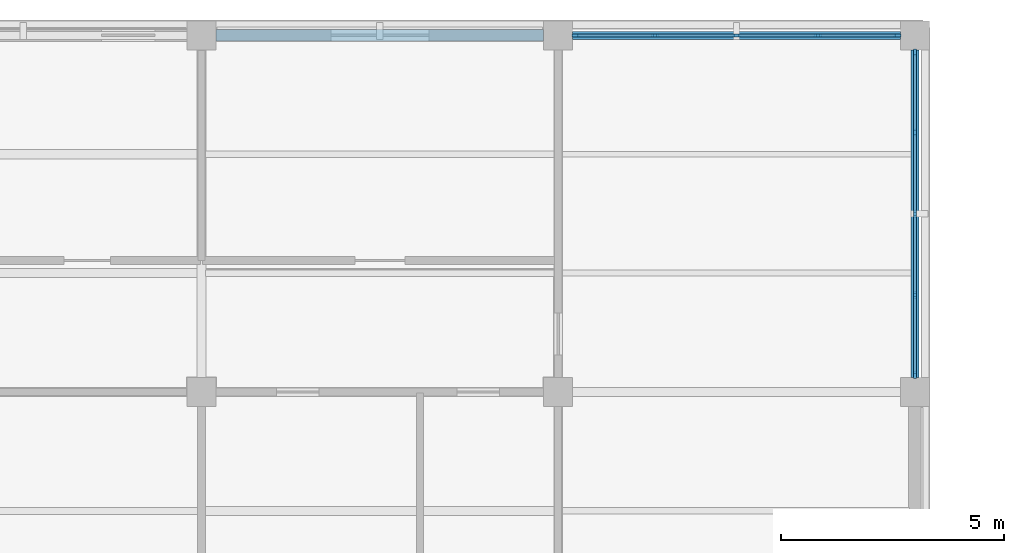
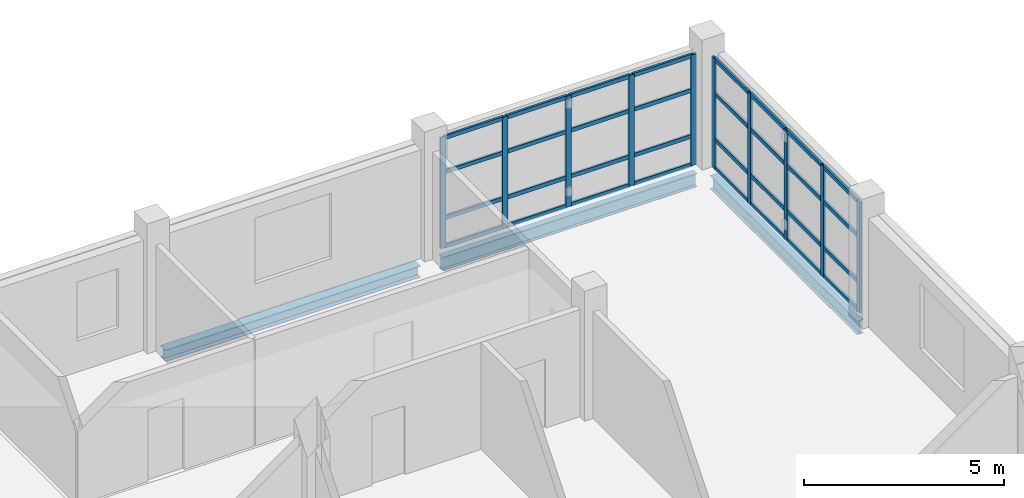
# One storey, part 47 of 92: 42 members, 3 beams, 2 elements without a shape of their own.
"""IFC4 building model written with IfcOpenShell, lengths in metres."""

from ifc_helpers import new_model, si_unit, derived_unit, direction, frame, origin, origin_2d, place, context, subcontext, project, spatial, rectangle, i_section, extrude, material, layer, layer_set, material_profile, profile_set, type_object, element, aggregate, save


model = new_model("IFC4")

# Units and contexts
model_context = context("Model", 3, precision=1e-05, world=origin(), true_north=direction((0.0, 1.0)))
body_context = subcontext(model_context, "Body", "Model", "MODEL_VIEW")
ifc_project = project(units=[si_unit("LENGTHUNIT", "METRE"), si_unit("AREAUNIT", "SQUARE_METRE"), si_unit("VOLUMEUNIT", "CUBIC_METRE"), si_unit("PLANEANGLEUNIT", "RADIAN"), si_unit("MASSUNIT", "GRAM", prefix="KILO"), derived_unit("THERMALTRANSMITTANCEUNIT", [(si_unit("MASSUNIT", "GRAM", prefix="KILO"), 1), (si_unit("TIMEUNIT", "SECOND"), -3), (si_unit("THERMODYNAMICTEMPERATUREUNIT", "KELVIN"), -1)])], contexts=[model_context])

# Site, building, storey
site_placement = place(None, origin())
site = spatial("IfcSite", under=ifc_project, at=site_placement, CompositionType="ELEMENT")
building_placement = place(site_placement, origin())
building = spatial("IfcBuilding", under=site, at=building_placement, Name="Veyamyaing Civic Hall", CompositionType="ELEMENT")
storey_placement = place(building_placement, frame((0.0, 0.0, 17.820068359375)))
storey = spatial("IfcBuildingStorey", under=building, at=storey_placement, Name="L04", CompositionType="ELEMENT", Elevation=17.820068359375)

# Beams
ifc_material_1 = material(Name="Steel ASTM A992", Category="steel")
ifc_material_profile_1 = material_profile(ifc_material_1, i_section(OverallWidth=0.179931640625, OverallDepth=0.4130859375, WebThickness=0.009765625, FlangeThickness=0.01611328125, FilletRadius=0.010009765625, at=origin_2d()), Name="W410X74")
ifc_profile_set_1 = profile_set([ifc_material_profile_1], Name="Steel ASTM A992")
beam_type_1 = type_object("IfcBeamType", Name="B-10", PredefinedType="SPANDREL", material=ifc_profile_set_1)
for number, where, z_axis, x_axis, name in (
    (1, (168.324951171875, 112.0, -0.441650390625), (1.0, 0.0, 0.0), (0.0, 1.0, 0.0), "Girder B-10 L04 Grid Q 22-23"),
    (2, (176.0, 104.324951171875, -0.441650390625), (0.0, 1.0, 0.0), (-1.0, 0.0, 0.0), "Girder B-10 L04 Grid 23 P-Q"),
):
    element("IfcBeam", number, at=place(storey_placement, frame(where, z_axis=z_axis, x_axis=x_axis)), inside=storey, type_object=beam_type_1, Name=name, PredefinedType="SPANDREL", context=body_context, shape_type="SweptSolid", body=[
        extrude(i_section(OverallWidth=0.179931640625, OverallDepth=0.4130859375, WebThickness=0.009765625, FlangeThickness=0.01611328125, FilletRadius=0.010009765625, at=origin_2d()), origin(), (0.0, 0.0, 1.0), 7.35009765625),
    ])
ifc_material_profile_2 = material_profile(ifc_material_1, i_section(OverallWidth=0.25390625, OverallDepth=0.35302734375, WebThickness=0.009521484375, FlangeThickness=0.016357421875, FilletRadius=0.011962890625, at=origin_2d()), Name="W360X91")
ifc_profile_set_2 = profile_set([ifc_material_profile_2], Name="Steel ASTM A992")
beam_type_2 = type_object("IfcBeamType", Name="B-20", PredefinedType="SPANDREL", material=ifc_profile_set_2)
beam_placement = place(storey_placement, frame((160.324951171875, 112.0, -0.41162109375), z_axis=(1.0, 0.0, 0.0), x_axis=(0.0, 1.0, 0.0)))
element("IfcBeam", 3, at=beam_placement, inside=storey, type_object=beam_type_2, Name="Girder B-20 L04 Grid Q 21-22", PredefinedType="SPANDREL", context=body_context, shape_type="SweptSolid", body=[
    extrude(i_section(OverallWidth=0.25390625, OverallDepth=0.35302734375, WebThickness=0.009521484375, FlangeThickness=0.016357421875, FilletRadius=0.011962890625, at=origin_2d()), origin(), (0.0, 0.0, 1.0), 7.35009765625),
])

# Curtain wall, members
ifc_material_2 = material(Name="Anodised aluminium 6063-T6", Category="aluminium")
ifc_layer = layer(ifc_material_2, 0.159912109375, Name="Anodised aluminium 6063-T6")
ifc_layer_set = layer_set([ifc_layer], Name="Anodised aluminium 6063-T6")
curtain_wall_type = type_object("IfcCurtainWallType", Name="CW-08", PredefinedType="NOTDEFINED", material=ifc_layer_set)
curtain_wall_1_placement = place(storey_placement, origin())
curtain_wall_1 = element("IfcCurtainWall", 4, at=curtain_wall_1_placement, inside=storey, type_object=curtain_wall_type, Name="Unitized curtain wall CW-08 L04 N 22.14", PredefinedType="NOTDEFINED")
ifc_material_profile_3 = material_profile(ifc_material_2, rectangle(XDim=0.06494140625, YDim=0.159912109375, at=origin_2d()), Name="ALU-MUL-65X160")
ifc_profile_set_3 = profile_set([ifc_material_profile_3], Name="Anodised aluminium 6063-T6")
member_type_1 = type_object("IfcMemberType", Name="CWM-01", PredefinedType="MULLION", material=ifc_profile_set_3)
member_1_placement = place(storey_placement, frame((168.387451171875, 112.0, 0.0), z_axis=(0.0, 0.0, 1.0), x_axis=(0.0, 1.0, 0.0)))
member_1 = element("IfcMember", 5, at=member_1_placement, type_object=member_type_1, Name="CW-08 mullion 1", PredefinedType="MULLION", context=body_context, shape_type="SweptSolid", body=[
    extrude(rectangle(XDim=0.06494140625, YDim=0.159912109375, at=origin_2d()), origin(), (0.0, 0.0, 1.0), 3.376953125),
])
member_2_placement = place(storey_placement, frame((170.177490234375, 112.0, 0.0), z_axis=(0.0, 0.0, 1.0), x_axis=(0.0, 1.0, 0.0)))
member_2 = element("IfcMember", 6, at=member_2_placement, type_object=member_type_1, Name="CW-08 mullion 2", PredefinedType="MULLION", context=body_context, shape_type="SweptSolid", body=[
    extrude(rectangle(XDim=0.06494140625, YDim=0.159912109375, at=origin_2d()), origin(), (0.0, 0.0, 1.0), 3.376953125),
])
member_3_placement = place(storey_placement, frame((172.0, 112.0, 0.0), z_axis=(0.0, 0.0, 1.0), x_axis=(0.0, 1.0, 0.0)))
member_3 = element("IfcMember", 7, at=member_3_placement, type_object=member_type_1, Name="CW-08 mullion 3", PredefinedType="MULLION", context=body_context, shape_type="SweptSolid", body=[
    extrude(rectangle(XDim=0.06494140625, YDim=0.159912109375, at=origin_2d()), origin(), (0.0, 0.0, 1.0), 3.376953125),
])
member_4_placement = place(storey_placement, frame((173.822509765625, 112.0, 0.0), z_axis=(0.0, 0.0, 1.0), x_axis=(0.0, 1.0, 0.0)))
member_4 = element("IfcMember", 8, at=member_4_placement, type_object=member_type_1, Name="CW-08 mullion 4", PredefinedType="MULLION", context=body_context, shape_type="SweptSolid", body=[
    extrude(rectangle(XDim=0.06494140625, YDim=0.159912109375, at=origin_2d()), origin(), (0.0, 0.0, 1.0), 3.376953125),
])
member_5_placement = place(storey_placement, frame((175.612548828125, 112.0, 0.0), z_axis=(0.0, 0.0, 1.0), x_axis=(0.0, 1.0, 0.0)))
member_5 = element("IfcMember", 9, at=member_5_placement, type_object=member_type_1, Name="CW-08 mullion 5", PredefinedType="MULLION", context=body_context, shape_type="SweptSolid", body=[
    extrude(rectangle(XDim=0.06494140625, YDim=0.159912109375, at=origin_2d()), origin(), (0.0, 0.0, 1.0), 3.376953125),
])

curtain_wall_2_placement = place(storey_placement, origin())
curtain_wall_2 = element("IfcCurtainWall", 10, at=curtain_wall_2_placement, inside=storey, type_object=curtain_wall_type, Name="Unitized curtain wall CW-08 L04 E 22.14", PredefinedType="NOTDEFINED")
member_6_placement = place(storey_placement, frame((176.0, 104.387451171875, 0.0), z_axis=(0.0, 0.0, 1.0), x_axis=(-1.0, 0.0, 0.0)))
member_6 = element("IfcMember", 11, at=member_6_placement, type_object=member_type_1, Name="CW-08 mullion 1", PredefinedType="MULLION", context=body_context, shape_type="SweptSolid", body=[
    extrude(rectangle(XDim=0.06494140625, YDim=0.159912109375, at=origin_2d()), origin(), (0.0, 0.0, 1.0), 3.376953125),
])
member_7_placement = place(storey_placement, frame((176.0, 106.177490234375, 0.0), z_axis=(0.0, 0.0, 1.0), x_axis=(-1.0, 0.0, 0.0)))
member_7 = element("IfcMember", 12, at=member_7_placement, type_object=member_type_1, Name="CW-08 mullion 2", PredefinedType="MULLION", context=body_context, shape_type="SweptSolid", body=[
    extrude(rectangle(XDim=0.06494140625, YDim=0.159912109375, at=origin_2d()), origin(), (0.0, 0.0, 1.0), 3.376953125),
])
member_8_placement = place(storey_placement, frame((176.0, 108.0, 0.0), z_axis=(0.0, 0.0, 1.0), x_axis=(-1.0, 0.0, 0.0)))
member_8 = element("IfcMember", 13, at=member_8_placement, type_object=member_type_1, Name="CW-08 mullion 3", PredefinedType="MULLION", context=body_context, shape_type="SweptSolid", body=[
    extrude(rectangle(XDim=0.06494140625, YDim=0.159912109375, at=origin_2d()), origin(), (0.0, 0.0, 1.0), 3.376953125),
])
member_9_placement = place(storey_placement, frame((176.0, 109.822509765625, 0.0), z_axis=(0.0, 0.0, 1.0), x_axis=(-1.0, 0.0, 0.0)))
member_9 = element("IfcMember", 14, at=member_9_placement, type_object=member_type_1, Name="CW-08 mullion 4", PredefinedType="MULLION", context=body_context, shape_type="SweptSolid", body=[
    extrude(rectangle(XDim=0.06494140625, YDim=0.159912109375, at=origin_2d()), origin(), (0.0, 0.0, 1.0), 3.376953125),
])
member_10_placement = place(storey_placement, frame((176.0, 111.612548828125, 0.0), z_axis=(0.0, 0.0, 1.0), x_axis=(-1.0, 0.0, 0.0)))
member_10 = element("IfcMember", 15, at=member_10_placement, type_object=member_type_1, Name="CW-08 mullion 5", PredefinedType="MULLION", context=body_context, shape_type="SweptSolid", body=[
    extrude(rectangle(XDim=0.06494140625, YDim=0.159912109375, at=origin_2d()), origin(), (0.0, 0.0, 1.0), 3.376953125),
])

# Member
ifc_material_profile_4 = material_profile(ifc_material_2, rectangle(XDim=0.06494140625, YDim=0.1201171875, at=origin_2d()), Name="ALU-TRN-65X120")
ifc_profile_set_4 = profile_set([ifc_material_profile_4], Name="Anodised aluminium 6063-T6")
member_type_2 = type_object("IfcMemberType", Name="CWT-01", PredefinedType="USERDEFINED", material=ifc_profile_set_4)
member_11_placement = place(storey_placement, frame((168.419921875, 112.0, 0.032470703125), z_axis=(1.0, 0.0, 0.0), x_axis=(0.0, 1.0, 0.0)))
member_11 = element("IfcMember", 16, at=member_11_placement, type_object=member_type_2, Name="CW-08 transom 1.1", ObjectType="TRANSOM", PredefinedType="USERDEFINED", context=body_context, shape_type="SweptSolid", body=[
    extrude(rectangle(XDim=0.06494140625, YDim=0.1201171875, at=origin_2d()), origin(), (0.0, 0.0, 1.0), 1.72509765625),
])

member_12_placement = place(storey_placement, frame((168.419921875, 112.0, 0.89990234375), z_axis=(1.0, 0.0, 0.0), x_axis=(0.0, 1.0, 0.0)))
member_12 = element("IfcMember", 17, at=member_12_placement, type_object=member_type_2, Name="CW-08 transom 1.2", ObjectType="TRANSOM", PredefinedType="USERDEFINED", context=body_context, shape_type="SweptSolid", body=[
    extrude(rectangle(XDim=0.06494140625, YDim=0.1201171875, at=origin_2d()), origin(), (0.0, 0.0, 1.0), 1.72509765625),
])

member_13_placement = place(storey_placement, frame((168.419921875, 112.0, 2.29638671875), z_axis=(1.0, 0.0, 0.0), x_axis=(0.0, 1.0, 0.0)))
member_13 = element("IfcMember", 18, at=member_13_placement, type_object=member_type_2, Name="CW-08 transom 1.3", ObjectType="TRANSOM", PredefinedType="USERDEFINED", context=body_context, shape_type="SweptSolid", body=[
    extrude(rectangle(XDim=0.06494140625, YDim=0.1201171875, at=origin_2d()), origin(), (0.0, 0.0, 1.0), 1.72509765625),
])

member_14_placement = place(storey_placement, frame((168.419921875, 112.0, 3.344482421875), z_axis=(1.0, 0.0, 0.0), x_axis=(0.0, 1.0, 0.0)))
member_14 = element("IfcMember", 19, at=member_14_placement, type_object=member_type_2, Name="CW-08 transom 1.4", ObjectType="TRANSOM", PredefinedType="USERDEFINED", context=body_context, shape_type="SweptSolid", body=[
    extrude(rectangle(XDim=0.06494140625, YDim=0.1201171875, at=origin_2d()), origin(), (0.0, 0.0, 1.0), 1.72509765625),
])

member_15_placement = place(storey_placement, frame((170.2099609375, 112.0, 0.032470703125), z_axis=(1.0, 0.0, 0.0), x_axis=(0.0, 1.0, 0.0)))
member_15 = element("IfcMember", 20, at=member_15_placement, type_object=member_type_2, Name="CW-08 transom 2.1", ObjectType="TRANSOM", PredefinedType="USERDEFINED", context=body_context, shape_type="SweptSolid", body=[
    extrude(rectangle(XDim=0.06494140625, YDim=0.1201171875, at=origin_2d()), origin(), (0.0, 0.0, 1.0), 1.757568359375),
])

member_16_placement = place(storey_placement, frame((170.2099609375, 112.0, 0.89990234375), z_axis=(1.0, 0.0, 0.0), x_axis=(0.0, 1.0, 0.0)))
member_16 = element("IfcMember", 21, at=member_16_placement, type_object=member_type_2, Name="CW-08 transom 2.2", ObjectType="TRANSOM", PredefinedType="USERDEFINED", context=body_context, shape_type="SweptSolid", body=[
    extrude(rectangle(XDim=0.06494140625, YDim=0.1201171875, at=origin_2d()), origin(), (0.0, 0.0, 1.0), 1.757568359375),
])

member_17_placement = place(storey_placement, frame((170.2099609375, 112.0, 2.29638671875), z_axis=(1.0, 0.0, 0.0), x_axis=(0.0, 1.0, 0.0)))
member_17 = element("IfcMember", 22, at=member_17_placement, type_object=member_type_2, Name="CW-08 transom 2.3", ObjectType="TRANSOM", PredefinedType="USERDEFINED", context=body_context, shape_type="SweptSolid", body=[
    extrude(rectangle(XDim=0.06494140625, YDim=0.1201171875, at=origin_2d()), origin(), (0.0, 0.0, 1.0), 1.757568359375),
])

member_18_placement = place(storey_placement, frame((170.2099609375, 112.0, 3.344482421875), z_axis=(1.0, 0.0, 0.0), x_axis=(0.0, 1.0, 0.0)))
member_18 = element("IfcMember", 23, at=member_18_placement, type_object=member_type_2, Name="CW-08 transom 2.4", ObjectType="TRANSOM", PredefinedType="USERDEFINED", context=body_context, shape_type="SweptSolid", body=[
    extrude(rectangle(XDim=0.06494140625, YDim=0.1201171875, at=origin_2d()), origin(), (0.0, 0.0, 1.0), 1.757568359375),
])

member_19_placement = place(storey_placement, frame((172.032470703125, 112.0, 0.032470703125), z_axis=(1.0, 0.0, 0.0), x_axis=(0.0, 1.0, 0.0)))
member_19 = element("IfcMember", 24, at=member_19_placement, type_object=member_type_2, Name="CW-08 transom 3.1", ObjectType="TRANSOM", PredefinedType="USERDEFINED", context=body_context, shape_type="SweptSolid", body=[
    extrude(rectangle(XDim=0.06494140625, YDim=0.1201171875, at=origin_2d()), origin(), (0.0, 0.0, 1.0), 1.757568359375),
])

member_20_placement = place(storey_placement, frame((172.032470703125, 112.0, 0.89990234375), z_axis=(1.0, 0.0, 0.0), x_axis=(0.0, 1.0, 0.0)))
member_20 = element("IfcMember", 25, at=member_20_placement, type_object=member_type_2, Name="CW-08 transom 3.2", ObjectType="TRANSOM", PredefinedType="USERDEFINED", context=body_context, shape_type="SweptSolid", body=[
    extrude(rectangle(XDim=0.06494140625, YDim=0.1201171875, at=origin_2d()), origin(), (0.0, 0.0, 1.0), 1.757568359375),
])

member_21_placement = place(storey_placement, frame((172.032470703125, 112.0, 2.29638671875), z_axis=(1.0, 0.0, 0.0), x_axis=(0.0, 1.0, 0.0)))
member_21 = element("IfcMember", 26, at=member_21_placement, type_object=member_type_2, Name="CW-08 transom 3.3", ObjectType="TRANSOM", PredefinedType="USERDEFINED", context=body_context, shape_type="SweptSolid", body=[
    extrude(rectangle(XDim=0.06494140625, YDim=0.1201171875, at=origin_2d()), origin(), (0.0, 0.0, 1.0), 1.757568359375),
])

member_22_placement = place(storey_placement, frame((172.032470703125, 112.0, 3.344482421875), z_axis=(1.0, 0.0, 0.0), x_axis=(0.0, 1.0, 0.0)))
member_22 = element("IfcMember", 27, at=member_22_placement, type_object=member_type_2, Name="CW-08 transom 3.4", ObjectType="TRANSOM", PredefinedType="USERDEFINED", context=body_context, shape_type="SweptSolid", body=[
    extrude(rectangle(XDim=0.06494140625, YDim=0.1201171875, at=origin_2d()), origin(), (0.0, 0.0, 1.0), 1.757568359375),
])

member_23_placement = place(storey_placement, frame((173.85498046875, 112.0, 0.032470703125), z_axis=(1.0, 0.0, 0.0), x_axis=(0.0, 1.0, 0.0)))
member_23 = element("IfcMember", 28, at=member_23_placement, type_object=member_type_2, Name="CW-08 transom 4.1", ObjectType="TRANSOM", PredefinedType="USERDEFINED", context=body_context, shape_type="SweptSolid", body=[
    extrude(rectangle(XDim=0.06494140625, YDim=0.1201171875, at=origin_2d()), origin(), (0.0, 0.0, 1.0), 1.72509765625),
])

member_24_placement = place(storey_placement, frame((173.85498046875, 112.0, 0.89990234375), z_axis=(1.0, 0.0, 0.0), x_axis=(0.0, 1.0, 0.0)))
member_24 = element("IfcMember", 29, at=member_24_placement, type_object=member_type_2, Name="CW-08 transom 4.2", ObjectType="TRANSOM", PredefinedType="USERDEFINED", context=body_context, shape_type="SweptSolid", body=[
    extrude(rectangle(XDim=0.06494140625, YDim=0.1201171875, at=origin_2d()), origin(), (0.0, 0.0, 1.0), 1.72509765625),
])

member_25_placement = place(storey_placement, frame((173.85498046875, 112.0, 2.29638671875), z_axis=(1.0, 0.0, 0.0), x_axis=(0.0, 1.0, 0.0)))
member_25 = element("IfcMember", 30, at=member_25_placement, type_object=member_type_2, Name="CW-08 transom 4.3", ObjectType="TRANSOM", PredefinedType="USERDEFINED", context=body_context, shape_type="SweptSolid", body=[
    extrude(rectangle(XDim=0.06494140625, YDim=0.1201171875, at=origin_2d()), origin(), (0.0, 0.0, 1.0), 1.72509765625),
])

member_26_placement = place(storey_placement, frame((173.85498046875, 112.0, 3.344482421875), z_axis=(1.0, 0.0, 0.0), x_axis=(0.0, 1.0, 0.0)))
member_26 = element("IfcMember", 31, at=member_26_placement, type_object=member_type_2, Name="CW-08 transom 4.4", ObjectType="TRANSOM", PredefinedType="USERDEFINED", context=body_context, shape_type="SweptSolid", body=[
    extrude(rectangle(XDim=0.06494140625, YDim=0.1201171875, at=origin_2d()), origin(), (0.0, 0.0, 1.0), 1.72509765625),
])

aggregate(curtain_wall_1, [member_1, member_2, member_3, member_4, member_5, member_11, member_12, member_13, member_14, member_15, member_16, member_17, member_18, member_19, member_20, member_21, member_22, member_23, member_24, member_25, member_26])

member_27_placement = place(storey_placement, frame((176.0, 104.419921875, 0.032470703125), z_axis=(0.0, 1.0, 0.0), x_axis=(-1.0, 0.0, 0.0)))
member_27 = element("IfcMember", 32, at=member_27_placement, type_object=member_type_2, Name="CW-08 transom 1.1", ObjectType="TRANSOM", PredefinedType="USERDEFINED", context=body_context, shape_type="SweptSolid", body=[
    extrude(rectangle(XDim=0.06494140625, YDim=0.1201171875, at=origin_2d()), origin(), (0.0, 0.0, 1.0), 1.72509765625),
])

member_28_placement = place(storey_placement, frame((176.0, 104.419921875, 0.89990234375), z_axis=(0.0, 1.0, 0.0), x_axis=(-1.0, 0.0, 0.0)))
member_28 = element("IfcMember", 33, at=member_28_placement, type_object=member_type_2, Name="CW-08 transom 1.2", ObjectType="TRANSOM", PredefinedType="USERDEFINED", context=body_context, shape_type="SweptSolid", body=[
    extrude(rectangle(XDim=0.06494140625, YDim=0.1201171875, at=origin_2d()), origin(), (0.0, 0.0, 1.0), 1.72509765625),
])

member_29_placement = place(storey_placement, frame((176.0, 104.419921875, 2.29638671875), z_axis=(0.0, 1.0, 0.0), x_axis=(-1.0, 0.0, 0.0)))
member_29 = element("IfcMember", 34, at=member_29_placement, type_object=member_type_2, Name="CW-08 transom 1.3", ObjectType="TRANSOM", PredefinedType="USERDEFINED", context=body_context, shape_type="SweptSolid", body=[
    extrude(rectangle(XDim=0.06494140625, YDim=0.1201171875, at=origin_2d()), origin(), (0.0, 0.0, 1.0), 1.72509765625),
])

member_30_placement = place(storey_placement, frame((176.0, 104.419921875, 3.344482421875), z_axis=(0.0, 1.0, 0.0), x_axis=(-1.0, 0.0, 0.0)))
member_30 = element("IfcMember", 35, at=member_30_placement, type_object=member_type_2, Name="CW-08 transom 1.4", ObjectType="TRANSOM", PredefinedType="USERDEFINED", context=body_context, shape_type="SweptSolid", body=[
    extrude(rectangle(XDim=0.06494140625, YDim=0.1201171875, at=origin_2d()), origin(), (0.0, 0.0, 1.0), 1.72509765625),
])

member_31_placement = place(storey_placement, frame((176.0, 106.2099609375, 0.032470703125), z_axis=(0.0, 1.0, 0.0), x_axis=(-1.0, 0.0, 0.0)))
member_31 = element("IfcMember", 36, at=member_31_placement, type_object=member_type_2, Name="CW-08 transom 2.1", ObjectType="TRANSOM", PredefinedType="USERDEFINED", context=body_context, shape_type="SweptSolid", body=[
    extrude(rectangle(XDim=0.06494140625, YDim=0.1201171875, at=origin_2d()), origin(), (0.0, 0.0, 1.0), 1.757568359375),
])

member_32_placement = place(storey_placement, frame((176.0, 106.2099609375, 0.89990234375), z_axis=(0.0, 1.0, 0.0), x_axis=(-1.0, 0.0, 0.0)))
member_32 = element("IfcMember", 37, at=member_32_placement, type_object=member_type_2, Name="CW-08 transom 2.2", ObjectType="TRANSOM", PredefinedType="USERDEFINED", context=body_context, shape_type="SweptSolid", body=[
    extrude(rectangle(XDim=0.06494140625, YDim=0.1201171875, at=origin_2d()), origin(), (0.0, 0.0, 1.0), 1.757568359375),
])

member_33_placement = place(storey_placement, frame((176.0, 106.2099609375, 2.29638671875), z_axis=(0.0, 1.0, 0.0), x_axis=(-1.0, 0.0, 0.0)))
member_33 = element("IfcMember", 38, at=member_33_placement, type_object=member_type_2, Name="CW-08 transom 2.3", ObjectType="TRANSOM", PredefinedType="USERDEFINED", context=body_context, shape_type="SweptSolid", body=[
    extrude(rectangle(XDim=0.06494140625, YDim=0.1201171875, at=origin_2d()), origin(), (0.0, 0.0, 1.0), 1.757568359375),
])

member_34_placement = place(storey_placement, frame((176.0, 106.2099609375, 3.344482421875), z_axis=(0.0, 1.0, 0.0), x_axis=(-1.0, 0.0, 0.0)))
member_34 = element("IfcMember", 39, at=member_34_placement, type_object=member_type_2, Name="CW-08 transom 2.4", ObjectType="TRANSOM", PredefinedType="USERDEFINED", context=body_context, shape_type="SweptSolid", body=[
    extrude(rectangle(XDim=0.06494140625, YDim=0.1201171875, at=origin_2d()), origin(), (0.0, 0.0, 1.0), 1.757568359375),
])

member_35_placement = place(storey_placement, frame((176.0, 108.032470703125, 0.032470703125), z_axis=(0.0, 1.0, 0.0), x_axis=(-1.0, 0.0, 0.0)))
member_35 = element("IfcMember", 40, at=member_35_placement, type_object=member_type_2, Name="CW-08 transom 3.1", ObjectType="TRANSOM", PredefinedType="USERDEFINED", context=body_context, shape_type="SweptSolid", body=[
    extrude(rectangle(XDim=0.06494140625, YDim=0.1201171875, at=origin_2d()), origin(), (0.0, 0.0, 1.0), 1.757568359375),
])

member_36_placement = place(storey_placement, frame((176.0, 108.032470703125, 0.89990234375), z_axis=(0.0, 1.0, 0.0), x_axis=(-1.0, 0.0, 0.0)))
member_36 = element("IfcMember", 41, at=member_36_placement, type_object=member_type_2, Name="CW-08 transom 3.2", ObjectType="TRANSOM", PredefinedType="USERDEFINED", context=body_context, shape_type="SweptSolid", body=[
    extrude(rectangle(XDim=0.06494140625, YDim=0.1201171875, at=origin_2d()), origin(), (0.0, 0.0, 1.0), 1.757568359375),
])

member_37_placement = place(storey_placement, frame((176.0, 108.032470703125, 2.29638671875), z_axis=(0.0, 1.0, 0.0), x_axis=(-1.0, 0.0, 0.0)))
member_37 = element("IfcMember", 42, at=member_37_placement, type_object=member_type_2, Name="CW-08 transom 3.3", ObjectType="TRANSOM", PredefinedType="USERDEFINED", context=body_context, shape_type="SweptSolid", body=[
    extrude(rectangle(XDim=0.06494140625, YDim=0.1201171875, at=origin_2d()), origin(), (0.0, 0.0, 1.0), 1.757568359375),
])

member_38_placement = place(storey_placement, frame((176.0, 108.032470703125, 3.344482421875), z_axis=(0.0, 1.0, 0.0), x_axis=(-1.0, 0.0, 0.0)))
member_38 = element("IfcMember", 43, at=member_38_placement, type_object=member_type_2, Name="CW-08 transom 3.4", ObjectType="TRANSOM", PredefinedType="USERDEFINED", context=body_context, shape_type="SweptSolid", body=[
    extrude(rectangle(XDim=0.06494140625, YDim=0.1201171875, at=origin_2d()), origin(), (0.0, 0.0, 1.0), 1.757568359375),
])

member_39_placement = place(storey_placement, frame((176.0, 109.85498046875, 0.032470703125), z_axis=(0.0, 1.0, 0.0), x_axis=(-1.0, 0.0, 0.0)))
member_39 = element("IfcMember", 44, at=member_39_placement, type_object=member_type_2, Name="CW-08 transom 4.1", ObjectType="TRANSOM", PredefinedType="USERDEFINED", context=body_context, shape_type="SweptSolid", body=[
    extrude(rectangle(XDim=0.06494140625, YDim=0.1201171875, at=origin_2d()), origin(), (0.0, 0.0, 1.0), 1.72509765625),
])

member_40_placement = place(storey_placement, frame((176.0, 109.85498046875, 0.89990234375), z_axis=(0.0, 1.0, 0.0), x_axis=(-1.0, 0.0, 0.0)))
member_40 = element("IfcMember", 45, at=member_40_placement, type_object=member_type_2, Name="CW-08 transom 4.2", ObjectType="TRANSOM", PredefinedType="USERDEFINED", context=body_context, shape_type="SweptSolid", body=[
    extrude(rectangle(XDim=0.06494140625, YDim=0.1201171875, at=origin_2d()), origin(), (0.0, 0.0, 1.0), 1.72509765625),
])

member_41_placement = place(storey_placement, frame((176.0, 109.85498046875, 2.29638671875), z_axis=(0.0, 1.0, 0.0), x_axis=(-1.0, 0.0, 0.0)))
member_41 = element("IfcMember", 46, at=member_41_placement, type_object=member_type_2, Name="CW-08 transom 4.3", ObjectType="TRANSOM", PredefinedType="USERDEFINED", context=body_context, shape_type="SweptSolid", body=[
    extrude(rectangle(XDim=0.06494140625, YDim=0.1201171875, at=origin_2d()), origin(), (0.0, 0.0, 1.0), 1.72509765625),
])

member_42_placement = place(storey_placement, frame((176.0, 109.85498046875, 3.344482421875), z_axis=(0.0, 1.0, 0.0), x_axis=(-1.0, 0.0, 0.0)))
member_42 = element("IfcMember", 47, at=member_42_placement, type_object=member_type_2, Name="CW-08 transom 4.4", ObjectType="TRANSOM", PredefinedType="USERDEFINED", context=body_context, shape_type="SweptSolid", body=[
    extrude(rectangle(XDim=0.06494140625, YDim=0.1201171875, at=origin_2d()), origin(), (0.0, 0.0, 1.0), 1.72509765625),
])

aggregate(curtain_wall_2, [member_6, member_7, member_8, member_9, member_10, member_27, member_28, member_29, member_30, member_31, member_32, member_33, member_34, member_35, member_36, member_37, member_38, member_39, member_40, member_41, member_42])

save(model, "model.ifc")
